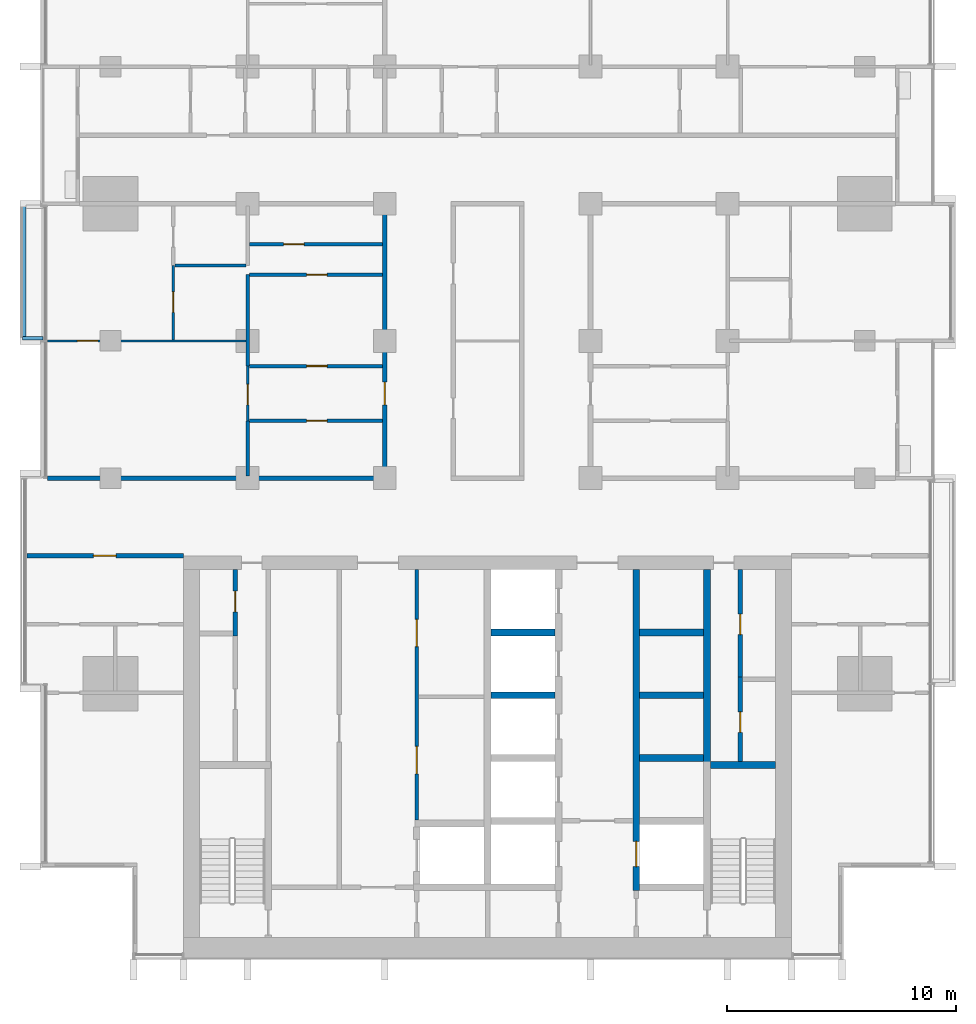
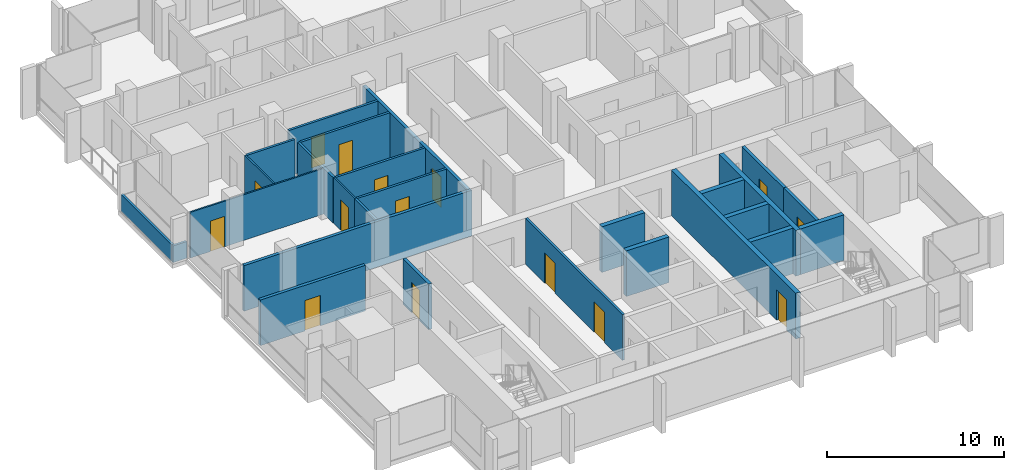
# One storey, part 8 of 17: 27 walls, 15 doors, 15 openings.
"""IFC4 building model written with IfcOpenShell, lengths in metres."""

import ifcopenshell
import ifcopenshell.guid

model = None  # the IFC model being written
_history = None  # IfcOwnerHistory: only IFC2X3 demands one
_inside = {}  # id of a spatial element -> (the spatial element, [elements in it])
_under = {}  # id of a project, library or spatial element -> (it, [spatial elements below it])
_declared = {}  # id of a project -> (the project, [libraries it declares])
_typed = {}  # id of a type object -> (the type object, [elements of that type])
_made_of = {}  # id of a material, layer set ... -> (it, [elements and type objects made of it])


def new_model(schema):
    """Start an empty IFC model of exactly this schema.

    Asked for "IFC4X3", IfcOpenShell would pick the latest addendum, in which some entities
    have other attributes; the version numbers below select the first issue.
    IFC2X3 requires an IfcOwnerHistory on every rooted entity: one is made here for all.
    """
    global model, _history
    if schema == "IFC4X3":
        model = ifcopenshell.file(schema_version=(4, 3, 0, 0))
    else:
        model = ifcopenshell.file(schema=schema)
    _inside.clear()
    _under.clear()
    _declared.clear()
    _typed.clear()
    _made_of.clear()
    _history = None
    if model.schema == "IFC2X3":
        org = make("IfcOrganization", Name="unknown")
        user = make(
            "IfcPersonAndOrganization",
            ThePerson=make("IfcPerson", FamilyName="unknown"),
            TheOrganization=org,
        )
        app = make(
            "IfcApplication",
            ApplicationDeveloper=org,
            Version="unknown",
            ApplicationFullName="unknown",
            ApplicationIdentifier="unknown",
        )
        _history = make(
            "IfcOwnerHistory",
            OwningUser=user,
            OwningApplication=app,
            ChangeAction="ADDED",
            CreationDate=0,
        )
    return model


def make(cls, **values):
    """One entity of the class cls with the attributes given. An attribute that is None is left unset."""
    return model.create_entity(
        cls, **{name: value for name, value in values.items() if value is not None}
    )


def rooted(cls, **values):
    """An entity with a GlobalId (a new one), such as an element, a storey or a relation."""
    return make(cls, GlobalId=ifcopenshell.guid.new(), OwnerHistory=_history, **values)


def si_unit(unit_type, name, prefix=None):
    """IfcSIUnit, for example si_unit("LENGTHUNIT", "METRE", prefix="MILLI")."""
    return make("IfcSIUnit", UnitType=unit_type, Prefix=prefix, Name=name)


def assignment(units):
    """IfcUnitAssignment: the units of a project."""
    return None if units is None else make("IfcUnitAssignment", Units=units)


def point(xyz):
    """IfcCartesianPoint."""
    return None if xyz is None else make("IfcCartesianPoint", Coordinates=xyz)


def direction(xyz):
    """IfcDirection."""
    return None if xyz is None else make("IfcDirection", DirectionRatios=xyz)


def frame(location, z_axis=None, x_axis=None):
    """IfcAxis2Placement3D, a coordinate frame: its origin and axes. An axis left out is left unset."""
    return make(
        "IfcAxis2Placement3D",
        Location=point(location),
        Axis=direction(z_axis),
        RefDirection=direction(x_axis),
    )


def frame_2d(location, x_axis=None):
    """IfcAxis2Placement2D, a coordinate frame in the plane: its origin and x axis."""
    return make(
        "IfcAxis2Placement2D", Location=point(location), RefDirection=direction(x_axis)
    )


def origin():
    """The frame at (0, 0, 0) with its axes left unset."""
    return frame((0.0, 0.0, 0.0))


def place(relative_to, where):
    """IfcLocalPlacement: puts the frame where relative to a parent placement (None: the world)."""
    return make(
        "IfcLocalPlacement", PlacementRelTo=relative_to, RelativePlacement=where
    )


def context(
    kind, dimensions, precision=None, world=None, true_north=None, identifier=None
):
    """IfcGeometricRepresentationContext, for example the 3D "Model" context."""
    return make(
        "IfcGeometricRepresentationContext",
        ContextIdentifier=identifier,
        ContextType=kind,
        CoordinateSpaceDimension=dimensions,
        Precision=precision,
        WorldCoordinateSystem=world,
        TrueNorth=true_north,
    )


def subcontext(parent, identifier, kind, view, scale=None):
    """IfcGeometricRepresentationSubContext, for example "Body" below "Model"."""
    return make(
        "IfcGeometricRepresentationSubContext",
        ContextIdentifier=identifier,
        ContextType=kind,
        ParentContext=parent,
        TargetScale=scale,
        TargetView=view,
    )


def project(units=None, contexts=None):
    """IfcProject with its units and contexts."""
    return rooted(
        "IfcProject",
        Name="project",
        RepresentationContexts=contexts,
        UnitsInContext=assignment(units),
    )


def spatial(cls, under=None, at=None, **own):
    """A site, building, storey or space (cls), placed at a placement, below another one or the project."""
    s = rooted(cls, ObjectPlacement=at, **own)
    if under is not None:
        _under.setdefault(under.id(), (under, []))[1].append(s)
    return s


def profile(cls, at=None, kind="AREA", **sizes):
    """A parametric profile (cls). Its sizes go by their IFC names, for example OverallWidth=200.0."""
    return make(cls, ProfileType=kind, Position=at, **sizes)


def rectangle(**sizes):
    """IfcRectangleProfileDef."""
    return profile("IfcRectangleProfileDef", **sizes)


def extrude(swept, where, along, depth):
    """IfcExtrudedAreaSolid: the profile swept, set in the frame where, extruded along a direction by depth."""
    return make(
        "IfcExtrudedAreaSolid",
        SweptArea=swept,
        Position=where,
        ExtrudedDirection=direction(along),
        Depth=depth,
    )


def shape(context_of_items, identifier, shape_type, items):
    """IfcShapeRepresentation: the items that make up one representation, for example the "Body"."""
    return make(
        "IfcShapeRepresentation",
        ContextOfItems=context_of_items,
        RepresentationIdentifier=identifier,
        RepresentationType=shape_type,
        Items=items,
    )


def material(Name=None, Category=None):
    """IfcMaterial."""
    return make("IfcMaterial", Name=Name, Category=Category)


def layer(
    of_material, thickness, ventilated=None, Name=None, Category=None, Priority=None
):
    """IfcMaterialLayer: one layer of a wall or slab, of a material (None: an air gap)."""
    return make(
        "IfcMaterialLayer",
        Material=of_material,
        LayerThickness=thickness,
        IsVentilated=ventilated,
        Name=Name,
        Category=Category,
        Priority=Priority,
    )


def layer_set(layers, Name=None):
    """IfcMaterialLayerSet."""
    return make("IfcMaterialLayerSet", MaterialLayers=layers, LayerSetName=Name)


def made_of(thing, what):
    """Note that an element or type object is made of a material, layer set ...; save() writes the relation."""
    if what is not None:
        _made_of.setdefault(what.id(), (what, []))[1].append(thing)
    return thing


def type_object(cls, material=None, **own):
    """A type object (cls), such as IfcWallType, which elements share."""
    return made_of(rooted(cls, **own), material)


def element(
    cls,
    number,
    at=None,
    inside=None,
    cuts=None,
    type_object=None,
    material=None,
    context=None,
    identifier="Body",
    shape_type=None,
    held_by="IfcProductDefinitionShape",
    body=None,
    shapes=None,
    **own,
):
    """One element of the class cls, such as IfcWall. Its Tag is "e" and its number.

    at: its placement. inside: the storey or other place that contains it. cuts: it is an
    opening in that element (IfcRelVoidsElement). A single representation is given by context,
    identifier, shape_type and body (its items); several are given by shapes. held_by: the class
    of the entity that holds the representations. save() writes the other relations.
    """
    e = rooted(cls, Tag="e%d" % number, ObjectPlacement=at, **own)
    if body is not None:
        shapes = [shape(context, identifier, shape_type, body)]
    if shapes is not None:
        e.Representation = make(held_by, Representations=shapes)
    if inside is not None:
        _inside.setdefault(inside.id(), (inside, []))[1].append(e)
    if cuts is not None:
        rooted(
            "IfcRelVoidsElement", RelatingBuildingElement=cuts, RelatedOpeningElement=e
        )
    if type_object is not None:
        _typed.setdefault(type_object.id(), (type_object, []))[1].append(e)
    return made_of(e, material)


def fill(opening, filler):
    """IfcRelFillsElement: the door or window that sits in an opening."""
    return rooted(
        "IfcRelFillsElement",
        RelatingOpeningElement=opening,
        RelatedBuildingElement=filler,
    )


def aggregate(whole, parts):
    """IfcRelAggregates: a whole, such as a stair, and the parts it consists of."""
    return rooted("IfcRelAggregates", RelatingObject=whole, RelatedObjects=parts)


def save(model, path):
    """Write the relations noted so far, then the file.

    IfcRelAggregates (storeys below a building ...), IfcRelContainedInSpatialStructure (elements
    in a storey), IfcRelDefinesByType, IfcRelAssociatesMaterial and IfcRelDeclares: one each for
    every whole, place, type object, material and project.
    """
    for whole, parts in _under.values():
        aggregate(whole, parts)
    for where, things in _inside.values():
        rooted(
            "IfcRelContainedInSpatialStructure",
            RelatedElements=things,
            RelatingStructure=where,
        )
    for kind, things in _typed.values():
        rooted("IfcRelDefinesByType", RelatedObjects=things, RelatingType=kind)
    for what, things in _made_of.values():
        rooted("IfcRelAssociatesMaterial", RelatedObjects=things, RelatingMaterial=what)
    for by, libraries in _declared.values():
        rooted("IfcRelDeclares", RelatingContext=by, RelatedDefinitions=libraries)
    model.write(path)


model = new_model("IFC4")

# Units and contexts
model_context = context("Model", 3, precision=1e-05, world=origin(), true_north=direction((0.0, 1.0)))
body_context = subcontext(model_context, "Body", "Model", "MODEL_VIEW")
ifc_project = project(units=[si_unit("LENGTHUNIT", "METRE"), si_unit("AREAUNIT", "SQUARE_METRE"), si_unit("VOLUMEUNIT", "CUBIC_METRE"), si_unit("PLANEANGLEUNIT", "RADIAN"), si_unit("MASSUNIT", "GRAM", prefix="KILO")], contexts=[model_context])

# Site, building, storey
site_placement = place(None, origin())
site = spatial("IfcSite", under=ifc_project, at=site_placement, CompositionType="ELEMENT")
building_placement = place(site_placement, origin())
building = spatial("IfcBuilding", under=site, at=building_placement, Name="Finial Court Residences", CompositionType="ELEMENT")
storey_placement = place(building_placement, frame((0.0, 0.0, 196.10009765625)))
storey = spatial("IfcBuildingStorey", under=building, at=storey_placement, Name="L49", CompositionType="ELEMENT", Elevation=196.10009765625)

# Wall, openings, doors
ifc_material_1 = material(Name="Fire-rated gypsum board partition")
ifc_layer_1 = layer(ifc_material_1, 0.14990234375)
ifc_layer_set_1 = layer_set([ifc_layer_1], Name="Core room partition 150 EI 60")
wall_type_1 = type_object("IfcWallType", Name="Core room partition 150 EI 60", PredefinedType="PARTITIONING", material=ifc_layer_set_1)
wall_1_placement = place(storey_placement, frame((-3.10009765625, -8.5, 0.0), z_axis=(0.0, 0.0, 1.0), x_axis=(0.0, -1.0, 0.0)))
wall_1 = element("IfcWall", 1, at=wall_1_placement, inside=storey, type_object=wall_type_1, Name="Core partition L49-27", PredefinedType="PARTITIONING", context=body_context, shape_type="SweptSolid", body=[
    extrude(rectangle(XDim=10.969970703125, YDim=0.14990234375, at=frame_2d((5.48486328125, 0.0))), origin(), (0.0, 0.0, 1.0), 3.14990234375),
])
opening_1_placement = place(wall_1_placement, frame((7.739990234375, 0.0, 0.0)))
opening_1 = element("IfcOpeningElement", 2, at=opening_1_placement, cuts=wall_1, Name="Opening L49-C15", PredefinedType="OPENING", context=body_context, shape_type="SweptSolid", body=[
    extrude(rectangle(XDim=1.199951171875, YDim=2.10009765625, at=frame_2d((0.60009765625, 1.050048828125))), frame((0.0, 0.0849609375, 0.0), z_axis=(0.0, -1.0, 0.0), x_axis=(1.0, 0.0, 0.0)), (0.0, 0.0, 1.0), 0.169921875),
])
opening_2_placement = place(wall_1_placement, frame((2.179931640625, 0.0, 0.0)))
opening_2 = element("IfcOpeningElement", 3, at=opening_2_placement, cuts=wall_1, Name="Opening L49-C16", PredefinedType="OPENING", context=body_context, shape_type="SweptSolid", body=[
    extrude(rectangle(XDim=1.199951171875, YDim=2.10009765625, at=frame_2d((0.60009765625, 1.050048828125))), frame((0.0, 0.0849609375, 0.0), z_axis=(0.0, -1.0, 0.0), x_axis=(1.0, 0.0, 0.0)), (0.0, 0.0, 1.0), 0.169921875),
])
ifc_material_2 = material(Name="Steel fire door", Category="steel")
door_type_1 = type_object("IfcDoorType", Name="Core room door 1200 x 2100 EI 60", OperationType="NOTDEFINED", PredefinedType="DOOR", material=ifc_material_2)
door_1_placement = place(opening_1_placement, origin())
door_1 = element("IfcDoor", 4, at=door_1_placement, inside=storey, type_object=door_type_1, Name="Core room door L49-C15", OperationType="SINGLE_SWING_LEFT", OverallHeight=2.10009765625, OverallWidth=1.199951171875, PredefinedType="DOOR", context=body_context, shape_type="SweptSolid", body=[
    extrude(rectangle(XDim=1.199951171875, YDim=2.10009765625, at=frame_2d((0.60009765625, 1.050048828125))), frame((0.0, 0.02490234375, 0.0), z_axis=(0.0, -1.0, 0.0), x_axis=(1.0, 0.0, 0.0)), (0.0, 0.0, 1.0), 0.050048828125),
])
fill(opening_1, door_1)
door_2_placement = place(opening_2_placement, origin())
door_2 = element("IfcDoor", 5, at=door_2_placement, inside=storey, type_object=door_type_1, Name="Core room door L49-C16", OperationType="SINGLE_SWING_LEFT", OverallHeight=2.10009765625, OverallWidth=1.199951171875, PredefinedType="DOOR", context=body_context, shape_type="SweptSolid", body=[
    extrude(rectangle(XDim=1.199951171875, YDim=2.10009765625, at=frame_2d((0.60009765625, 1.050048828125))), frame((0.0, 0.02490234375, 0.0), z_axis=(0.0, -1.0, 0.0), x_axis=(1.0, 0.0, 0.0)), (0.0, 0.0, 1.0), 0.050048828125),
])
fill(opening_2, door_2)

# Wall, opening, door
ifc_material_3 = material(Name="Gypsum board")
ifc_layer_2 = layer(ifc_material_3, 0.02490234375)
ifc_material_4 = material(Name="Acoustic mineral wool in double frame")
ifc_layer_3 = layer(ifc_material_4, 0.14990234375)
ifc_layer_4 = layer(ifc_material_3, 0.02490234375)
ifc_layer_set_2 = layer_set([ifc_layer_2, ifc_layer_3, ifc_layer_4], Name="Corridor wall 200, 1 hour")
wall_type_2 = type_object("IfcWallType", Name="Corridor wall 200, 1 hour", PredefinedType="PARTITIONING", material=ifc_layer_set_2)
wall_2_placement = place(storey_placement, frame((-20.16259765625, -7.89990234375, 0.0), z_axis=(0.0, 0.0, 1.0), x_axis=(1.0, 0.0, 0.0)))
wall_2 = element("IfcWall", 6, at=wall_2_placement, inside=storey, type_object=wall_type_2, Name="Partition L49-004", PredefinedType="PARTITIONING", context=body_context, shape_type="SweptSolid", body=[
    extrude(rectangle(XDim=6.862548828125, YDim=0.199951171875, at=frame_2d((3.43115234375, 0.0))), origin(), (0.0, 0.0, 1.0), 3.14990234375),
])
opening_3_placement = place(wall_2_placement, frame((2.9130859375, 0.0, 0.0)))
opening_3 = element("IfcOpeningElement", 7, at=opening_3_placement, cuts=wall_2, Name="Opening L49-D007", PredefinedType="OPENING", context=body_context, shape_type="SweptSolid", body=[
    extrude(rectangle(XDim=1.0, YDim=2.10009765625, at=frame_2d((0.5, 1.050048828125))), frame((0.0, 0.10986328125, 0.0), z_axis=(0.0, -1.0, 0.0), x_axis=(1.0, 0.0, 0.0)), (0.0, 0.0, 1.0), 0.219970703125),
])
ifc_material_5 = material(Name="Timber door leaf in hollow metal frame", Category="wood")
door_type_2 = type_object("IfcDoorType", Name="Fire door set 1000 x 2100, 30 minutes", OperationType="SINGLE_SWING_LEFT", PredefinedType="DOOR", material=ifc_material_5)
door_3_placement = place(opening_3_placement, origin())
door_3 = element("IfcDoor", 8, at=door_3_placement, inside=storey, type_object=door_type_2, Name="Door L49-D007", OperationType="SINGLE_SWING_LEFT", OverallHeight=2.10009765625, OverallWidth=1.0, PredefinedType="DOOR", context=body_context, shape_type="SweptSolid", body=[
    extrude(rectangle(XDim=1.0, YDim=2.10009765625, at=frame_2d((0.5, 1.050048828125))), frame((0.0, 0.02490234375, 0.0), z_axis=(0.0, -1.0, 0.0), x_axis=(1.0, 0.0, 0.0)), (0.0, 0.0, 1.0), 0.050048828125),
])
fill(opening_3, door_3)

# Wall
wall_3_placement = place(storey_placement, frame((-19.262451171875, -4.5, 0.0), z_axis=(0.0, 0.0, 1.0), x_axis=(1.0, 0.0, 0.0)))
element("IfcWall", 9, at=wall_3_placement, inside=storey, type_object=wall_type_2, Name="Partition L49-006", PredefinedType="PARTITIONING", context=body_context, shape_type="SweptSolid", body=[
    extrude(rectangle(XDim=14.862548828125, YDim=0.199951171875, at=frame_2d((7.43115234375, 0.0))), origin(), (0.0, 0.0, 1.0), 3.14990234375),
])

# Wall, opening, door
wall_4_placement = place(storey_placement, frame((-4.5, -4.39990234375, 0.0), z_axis=(0.0, 0.0, 1.0), x_axis=(0.0, 1.0, 0.0)))
wall_4 = element("IfcWall", 10, at=wall_4_placement, inside=storey, type_object=wall_type_2, Name="Partition L49-047", PredefinedType="PARTITIONING", context=body_context, shape_type="SweptSolid", body=[
    extrude(rectangle(XDim=11.7998046875, YDim=0.199951171875, at=frame_2d((5.89990234375, 0.0))), origin(), (0.0, 0.0, 1.0), 3.14990234375),
])
opening_4_placement = place(wall_4_placement, frame((3.10009765625, 0.0, 0.0)))
opening_4 = element("IfcOpeningElement", 11, at=opening_4_placement, cuts=wall_4, Name="Opening L49-D032", PredefinedType="OPENING", context=body_context, shape_type="SweptSolid", body=[
    extrude(rectangle(XDim=1.0, YDim=2.10009765625, at=frame_2d((0.5, 1.050048828125))), frame((0.0, 0.10986328125, 0.0), z_axis=(0.0, -1.0, 0.0), x_axis=(1.0, 0.0, 0.0)), (0.0, 0.0, 1.0), 0.219970703125),
])
door_4_placement = place(opening_4_placement, origin())
door_4 = element("IfcDoor", 12, at=door_4_placement, inside=storey, type_object=door_type_2, Name="Door L49-D032", OperationType="SINGLE_SWING_RIGHT", OverallHeight=2.10009765625, OverallWidth=1.0, PredefinedType="DOOR", context=body_context, shape_type="SweptSolid", body=[
    extrude(rectangle(XDim=1.0, YDim=2.10009765625, at=frame_2d((0.5, 1.050048828125))), frame((0.0, 0.02490234375, 0.0), z_axis=(0.0, -1.0, 0.0), x_axis=(1.0, 0.0, 0.0)), (0.0, 0.0, 1.0), 0.050048828125),
])
fill(opening_4, door_4)

ifc_layer_5 = layer(ifc_material_3, 0.012451171875)
ifc_material_6 = material(Name="Mineral wool in light-gauge frame")
ifc_layer_6 = layer(ifc_material_6, 0.074951171875)
ifc_layer_7 = layer(ifc_material_3, 0.012451171875)
ifc_layer_set_3 = layer_set([ifc_layer_5, ifc_layer_6, ifc_layer_7], Name="Gypsum board partition 100")
wall_type_3 = type_object("IfcWallType", Name="Gypsum board partition 100", PredefinedType="PARTITIONING", material=ifc_layer_set_3)
wall_5_placement = place(storey_placement, frame((-19.262451171875, 1.5, 0.0), z_axis=(0.0, 0.0, 1.0), x_axis=(1.0, 0.0, 0.0)))
wall_5 = element("IfcWall", 13, at=wall_5_placement, inside=storey, type_object=wall_type_3, Name="Partition L49-013", PredefinedType="PARTITIONING", context=body_context, shape_type="SweptSolid", body=[
    extrude(rectangle(XDim=8.6875, YDim=0.10009765625, at=frame_2d((4.34375, 0.0))), origin(), (0.0, 0.0, 1.0), 3.14990234375),
])
opening_5_placement = place(wall_5_placement, frame((1.31201171875, 0.0, 0.0)))
opening_5 = element("IfcOpeningElement", 14, at=opening_5_placement, cuts=wall_5, Name="Opening L49-D013", PredefinedType="OPENING", context=body_context, shape_type="SweptSolid", body=[
    extrude(rectangle(XDim=0.89990234375, YDim=2.10009765625, at=frame_2d((0.449951171875, 1.050048828125))), frame((0.0, 0.06005859375, 0.0), z_axis=(0.0, -1.0, 0.0), x_axis=(1.0, 0.0, 0.0)), (0.0, 0.0, 1.0), 0.1201171875),
])
ifc_material_7 = material(Name="Timber door leaf in timber frame", Category="wood")
door_type_3 = type_object("IfcDoorType", Name="Door set 900 x 2100", OperationType="SINGLE_SWING_LEFT", PredefinedType="DOOR", material=ifc_material_7)
door_5_placement = place(opening_5_placement, origin())
door_5 = element("IfcDoor", 15, at=door_5_placement, inside=storey, type_object=door_type_3, Name="Door L49-D013", OperationType="SINGLE_SWING_RIGHT", OverallHeight=2.10009765625, OverallWidth=0.89990234375, PredefinedType="DOOR", context=body_context, shape_type="SweptSolid", body=[
    extrude(rectangle(XDim=0.89990234375, YDim=2.10009765625, at=frame_2d((0.449951171875, 1.050048828125))), frame((0.0, 0.02490234375, 0.0), z_axis=(0.0, -1.0, 0.0), x_axis=(1.0, 0.0, 0.0)), (0.0, 0.0, 1.0), 0.050048828125),
])
fill(opening_5, door_5)

wall_6_placement = place(storey_placement, frame((-13.75, 1.550048828125, 0.0), z_axis=(0.0, 0.0, 1.0), x_axis=(0.0, 1.0, 0.0)))
wall_6 = element("IfcWall", 16, at=wall_6_placement, inside=storey, type_object=wall_type_3, Name="Partition L49-036", PredefinedType="PARTITIONING", context=body_context, shape_type="SweptSolid", body=[
    extrude(rectangle(XDim=3.25, YDim=0.10009765625, at=frame_2d((1.625, 0.0))), origin(), (0.0, 0.0, 1.0), 3.14990234375),
])
opening_6_placement = place(wall_6_placement, frame((1.199951171875, 0.0, 0.0)))
opening_6 = element("IfcOpeningElement", 17, at=opening_6_placement, cuts=wall_6, Name="Opening L49-D024", PredefinedType="OPENING", context=body_context, shape_type="SweptSolid", body=[
    extrude(rectangle(XDim=0.89990234375, YDim=2.10009765625, at=frame_2d((0.449951171875, 1.050048828125))), frame((0.0, 0.06005859375, 0.0), z_axis=(0.0, -1.0, 0.0), x_axis=(1.0, 0.0, 0.0)), (0.0, 0.0, 1.0), 0.1201171875),
])
door_6_placement = place(opening_6_placement, origin())
door_6 = element("IfcDoor", 18, at=door_6_placement, inside=storey, type_object=door_type_3, Name="Door L49-D024", OperationType="SINGLE_SWING_RIGHT", OverallHeight=2.10009765625, OverallWidth=0.89990234375, PredefinedType="DOOR", context=body_context, shape_type="SweptSolid", body=[
    extrude(rectangle(XDim=0.89990234375, YDim=2.10009765625, at=frame_2d((0.449951171875, 1.050048828125))), frame((0.0, 0.02490234375, 0.0), z_axis=(0.0, -1.0, 0.0), x_axis=(1.0, 0.0, 0.0)), (0.0, 0.0, 1.0), 0.050048828125),
])
fill(opening_6, door_6)

wall_7_placement = place(storey_placement, frame((-10.5, -2.0, 0.0), z_axis=(0.0, 0.0, 1.0), x_axis=(0.0, 1.0, 0.0)))
wall_7 = element("IfcWall", 19, at=wall_7_placement, inside=storey, type_object=wall_type_3, Name="Partition L49-040", PredefinedType="PARTITIONING", context=body_context, shape_type="SweptSolid", body=[
    extrude(rectangle(XDim=2.39990234375, YDim=0.10009765625, at=frame_2d((1.199951171875, 0.0))), origin(), (0.0, 0.0, 1.0), 3.14990234375),
])
opening_7_placement = place(wall_7_placement, frame((0.699951171875, 0.0, 0.0)))
opening_7 = element("IfcOpeningElement", 20, at=opening_7_placement, cuts=wall_7, Name="Opening L49-D028", PredefinedType="OPENING", context=body_context, shape_type="SweptSolid", body=[
    extrude(rectangle(XDim=0.89990234375, YDim=2.10009765625, at=frame_2d((0.449951171875, 1.050048828125))), frame((0.0, 0.06005859375, 0.0), z_axis=(0.0, -1.0, 0.0), x_axis=(1.0, 0.0, 0.0)), (0.0, 0.0, 1.0), 0.1201171875),
])
door_7_placement = place(opening_7_placement, origin())
door_7 = element("IfcDoor", 21, at=door_7_placement, inside=storey, type_object=door_type_3, Name="Door L49-D028", OperationType="SINGLE_SWING_LEFT", OverallHeight=2.10009765625, OverallWidth=0.89990234375, PredefinedType="DOOR", context=body_context, shape_type="SweptSolid", body=[
    extrude(rectangle(XDim=0.89990234375, YDim=2.10009765625, at=frame_2d((0.449951171875, 1.050048828125))), frame((0.0, 0.02490234375, 0.0), z_axis=(0.0, -1.0, 0.0), x_axis=(1.0, 0.0, 0.0)), (0.0, 0.0, 1.0), 0.050048828125),
])
fill(opening_7, door_7)

ifc_material_8 = material(Name="Moisture-resistant gypsum board")
ifc_layer_8 = layer(ifc_material_8, 0.012451171875)
ifc_layer_9 = layer(ifc_material_6, 0.125)
ifc_layer_10 = layer(ifc_material_8, 0.012451171875)
ifc_layer_set_4 = layer_set([ifc_layer_8, ifc_layer_9, ifc_layer_10], Name="Gypsum board wet-area partition 150")
wall_type_4 = type_object("IfcWallType", Name="Gypsum board wet-area partition 150", PredefinedType="PARTITIONING", material=ifc_layer_set_4)
wall_8_placement = place(storey_placement, frame((-10.425048828125, -2.0, 0.0), z_axis=(0.0, 0.0, 1.0), x_axis=(1.0, 0.0, 0.0)))
wall_8 = element("IfcWall", 22, at=wall_8_placement, inside=storey, type_object=wall_type_4, Name="Partition L49-009", PredefinedType="PARTITIONING", context=body_context, shape_type="SweptSolid", body=[
    extrude(rectangle(XDim=5.824951171875, YDim=0.14990234375, at=frame_2d((2.91259765625, 0.0))), origin(), (0.0, 0.0, 1.0), 3.14990234375),
])
opening_8_placement = place(wall_8_placement, frame((2.5, 0.0, 0.0)))
opening_8 = element("IfcOpeningElement", 23, at=opening_8_placement, cuts=wall_8, Name="Opening L49-D009", PredefinedType="OPENING", context=body_context, shape_type="SweptSolid", body=[
    extrude(rectangle(XDim=0.89990234375, YDim=2.10009765625, at=frame_2d((0.449951171875, 1.050048828125))), frame((0.0, 0.0849609375, 0.0), z_axis=(0.0, -1.0, 0.0), x_axis=(1.0, 0.0, 0.0)), (0.0, 0.0, 1.0), 0.169921875),
])
door_8_placement = place(opening_8_placement, origin())
door_8 = element("IfcDoor", 24, at=door_8_placement, inside=storey, type_object=door_type_3, Name="Door L49-D009", OperationType="SINGLE_SWING_LEFT", OverallHeight=2.10009765625, OverallWidth=0.89990234375, PredefinedType="DOOR", context=body_context, shape_type="SweptSolid", body=[
    extrude(rectangle(XDim=0.89990234375, YDim=2.10009765625, at=frame_2d((0.449951171875, 1.050048828125))), frame((0.0, 0.02490234375, 0.0), z_axis=(0.0, -1.0, 0.0), x_axis=(1.0, 0.0, 0.0)), (0.0, 0.0, 1.0), 0.050048828125),
])
fill(opening_8, door_8)

wall_9_placement = place(storey_placement, frame((-10.425048828125, 0.39990234375, 0.0), z_axis=(0.0, 0.0, 1.0), x_axis=(1.0, 0.0, 0.0)))
wall_9 = element("IfcWall", 25, at=wall_9_placement, inside=storey, type_object=wall_type_4, Name="Partition L49-011", PredefinedType="PARTITIONING", context=body_context, shape_type="SweptSolid", body=[
    extrude(rectangle(XDim=5.824951171875, YDim=0.14990234375, at=frame_2d((2.91259765625, 0.0))), origin(), (0.0, 0.0, 1.0), 3.14990234375),
])
opening_9_placement = place(wall_9_placement, frame((2.5, 0.0, 0.0)))
opening_9 = element("IfcOpeningElement", 26, at=opening_9_placement, cuts=wall_9, Name="Opening L49-D011", PredefinedType="OPENING", context=body_context, shape_type="SweptSolid", body=[
    extrude(rectangle(XDim=0.89990234375, YDim=2.10009765625, at=frame_2d((0.449951171875, 1.050048828125))), frame((0.0, 0.0849609375, 0.0), z_axis=(0.0, -1.0, 0.0), x_axis=(1.0, 0.0, 0.0)), (0.0, 0.0, 1.0), 0.169921875),
])
door_9_placement = place(opening_9_placement, origin())
door_9 = element("IfcDoor", 27, at=door_9_placement, inside=storey, type_object=door_type_3, Name="Door L49-D011", OperationType="SINGLE_SWING_RIGHT", OverallHeight=2.10009765625, OverallWidth=0.89990234375, PredefinedType="DOOR", context=body_context, shape_type="SweptSolid", body=[
    extrude(rectangle(XDim=0.89990234375, YDim=2.10009765625, at=frame_2d((0.449951171875, 1.050048828125))), frame((0.0, 0.02490234375, 0.0), z_axis=(0.0, -1.0, 0.0), x_axis=(1.0, 0.0, 0.0)), (0.0, 0.0, 1.0), 0.050048828125),
])
fill(opening_9, door_9)

wall_10_placement = place(storey_placement, frame((-10.425048828125, 4.39990234375, 0.0), z_axis=(0.0, 0.0, 1.0), x_axis=(1.0, 0.0, 0.0)))
wall_10 = element("IfcWall", 28, at=wall_10_placement, inside=storey, type_object=wall_type_4, Name="Partition L49-018", PredefinedType="PARTITIONING", context=body_context, shape_type="SweptSolid", body=[
    extrude(rectangle(XDim=5.824951171875, YDim=0.14990234375, at=frame_2d((2.91259765625, 0.0))), origin(), (0.0, 0.0, 1.0), 3.14990234375),
])
opening_10_placement = place(wall_10_placement, frame((2.5, 0.0, 0.0)))
opening_10 = element("IfcOpeningElement", 29, at=opening_10_placement, cuts=wall_10, Name="Opening L49-D015", PredefinedType="OPENING", context=body_context, shape_type="SweptSolid", body=[
    extrude(rectangle(XDim=0.89990234375, YDim=2.10009765625, at=frame_2d((0.449951171875, 1.050048828125))), frame((0.0, 0.0849609375, 0.0), z_axis=(0.0, -1.0, 0.0), x_axis=(1.0, 0.0, 0.0)), (0.0, 0.0, 1.0), 0.169921875),
])
door_10_placement = place(opening_10_placement, origin())
door_10 = element("IfcDoor", 30, at=door_10_placement, inside=storey, type_object=door_type_3, Name="Door L49-D015", OperationType="SINGLE_SWING_RIGHT", OverallHeight=2.10009765625, OverallWidth=0.89990234375, PredefinedType="DOOR", context=body_context, shape_type="SweptSolid", body=[
    extrude(rectangle(XDim=0.89990234375, YDim=2.10009765625, at=frame_2d((0.449951171875, 1.050048828125))), frame((0.0, 0.02490234375, 0.0), z_axis=(0.0, -1.0, 0.0), x_axis=(1.0, 0.0, 0.0)), (0.0, 0.0, 1.0), 0.050048828125),
])
fill(opening_10, door_10)

# Wall
wall_11_placement = place(storey_placement, frame((-13.675048828125, 4.800048828125, 0.0), z_axis=(0.0, 0.0, 1.0), x_axis=(1.0, 0.0, 0.0)))
element("IfcWall", 31, at=wall_11_placement, inside=storey, type_object=wall_type_4, Name="Partition L49-019", PredefinedType="PARTITIONING", context=body_context, shape_type="SweptSolid", body=[
    extrude(rectangle(XDim=3.10009765625, YDim=0.14990234375, at=frame_2d((1.550048828125, 0.0))), origin(), (0.0, 0.0, 1.0), 3.14990234375),
])

# Wall, opening, door
wall_12_placement = place(storey_placement, frame((-10.425048828125, 5.73291015625, 0.0), z_axis=(0.0, 0.0, 1.0), x_axis=(1.0, 0.0, 0.0)))
wall_12 = element("IfcWall", 32, at=wall_12_placement, inside=storey, type_object=wall_type_4, Name="Partition L49-020", PredefinedType="PARTITIONING", context=body_context, shape_type="SweptSolid", body=[
    extrude(rectangle(XDim=5.824951171875, YDim=0.14990234375, at=frame_2d((2.91259765625, 0.0))), origin(), (0.0, 0.0, 1.0), 3.14990234375),
])
opening_11_placement = place(wall_12_placement, frame((1.5, 0.0, 0.0)))
opening_11 = element("IfcOpeningElement", 33, at=opening_11_placement, cuts=wall_12, Name="Opening L49-D016", PredefinedType="OPENING", context=body_context, shape_type="SweptSolid", body=[
    extrude(rectangle(XDim=0.89990234375, YDim=2.10009765625, at=frame_2d((0.449951171875, 1.050048828125))), frame((0.0, 0.0849609375, 0.0), z_axis=(0.0, -1.0, 0.0), x_axis=(1.0, 0.0, 0.0)), (0.0, 0.0, 1.0), 0.169921875),
])
door_11_placement = place(opening_11_placement, origin())
door_11 = element("IfcDoor", 34, at=door_11_placement, inside=storey, type_object=door_type_3, Name="Door L49-D016", OperationType="SINGLE_SWING_RIGHT", OverallHeight=2.10009765625, OverallWidth=0.89990234375, PredefinedType="DOOR", context=body_context, shape_type="SweptSolid", body=[
    extrude(rectangle(XDim=0.89990234375, YDim=2.10009765625, at=frame_2d((0.449951171875, 1.050048828125))), frame((0.0, 0.02490234375, 0.0), z_axis=(0.0, -1.0, 0.0), x_axis=(1.0, 0.0, 0.0)), (0.0, 0.0, 1.0), 0.050048828125),
])
fill(opening_11, door_11)

# Walls
wall_13_placement = place(storey_placement, frame((-10.5, -4.39990234375, 0.0), z_axis=(0.0, 0.0, 1.0), x_axis=(0.0, 1.0, 0.0)))
element("IfcWall", 35, at=wall_13_placement, inside=storey, type_object=wall_type_4, Name="Partition L49-042", PredefinedType="PARTITIONING", context=body_context, shape_type="SweptSolid", body=[
    extrude(rectangle(XDim=2.39990234375, YDim=0.14990234375, at=frame_2d((1.199951171875, 0.0))), origin(), (0.0, 0.0, 1.0), 3.14990234375),
])
wall_14_placement = place(storey_placement, frame((-10.5, 0.39990234375, 0.0), z_axis=(0.0, 0.0, 1.0), x_axis=(0.0, 1.0, 0.0)))
element("IfcWall", 36, at=wall_14_placement, inside=storey, type_object=wall_type_4, Name="Partition L49-043", PredefinedType="PARTITIONING", context=body_context, shape_type="SweptSolid", body=[
    extrude(rectangle(XDim=4.0, YDim=0.14990234375, at=frame_2d((2.0, 0.0))), origin(), (0.0, 0.0, 1.0), 3.14990234375),
])
ifc_material_9 = material(Name="Concrete C35/45", Category="concrete")
ifc_layer_11 = layer(ifc_material_9, 0.14990234375)
ifc_layer_set_5 = layer_set([ifc_layer_11], Name="Ledge parapet, Concrete C35/45 150")
wall_type_5 = type_object("IfcWallType", Name="Ledge parapet, Concrete C35/45 150", PredefinedType="PARAPET", material=ifc_layer_set_5)
wall_15_placement = place(storey_placement, frame((-19.447509765625, 1.625, 0.0), z_axis=(0.0, 0.0, 1.0), x_axis=(-1.0, 0.0, 0.0)))
element("IfcWall", 37, at=wall_15_placement, inside=storey, type_object=wall_type_5, Name="E-L49-LED1-P1", PredefinedType="PARAPET", context=body_context, shape_type="SweptSolid", body=[
    extrude(rectangle(XDim=0.902587890625, YDim=0.14990234375, at=frame_2d((0.451171875, 0.0))), origin(), (0.0, 0.0, 1.0), 1.14990234375),
])
wall_16_placement = place(storey_placement, frame((-20.27490234375, 1.699951171875, 0.0), z_axis=(0.0, 0.0, 1.0), x_axis=(0.0, 1.0, 0.0)))
element("IfcWall", 38, at=wall_16_placement, inside=storey, type_object=wall_type_5, Name="E-L49-LED1-P2", PredefinedType="PARAPET", context=body_context, shape_type="SweptSolid", body=[
    extrude(rectangle(XDim=5.75, YDim=0.14990234375, at=frame_2d((2.875, 0.0))), origin(), (0.0, 0.0, 1.0), 1.14990234375),
])
ifc_material_10 = material(Name="Concrete C70/85", Category="concrete")
ifc_layer_12 = layer(ifc_material_10, 0.300048828125)
ifc_layer_set_6 = layer_set([ifc_layer_12], Name="Lift shaft and stair wall 300 Concrete C70/85")
wall_type_6 = type_object("IfcWallType", Name="Lift shaft and stair wall 300 Concrete C70/85", PredefinedType="SHEAR", material=ifc_layer_set_6)
wall_17_placement = place(storey_placement, frame((9.75, -17.050048828125, 0.0), z_axis=(0.0, 0.0, 1.0), x_axis=(1.0, 0.0, 0.0)))
element("IfcWall", 39, at=wall_17_placement, inside=storey, type_object=wall_type_6, Name="Core wall L49-10", PredefinedType="SHEAR", context=body_context, shape_type="SweptSolid", body=[
    extrude(rectangle(XDim=2.85009765625, YDim=0.300048828125, at=frame_2d((1.425048828125, 0.0))), origin(), (0.0, 0.0, 1.0), 3.14990234375),
])
for number, where, z_axis, x_axis, name in (
    (40, (6.64990234375, -16.75, 0.0), (0.0, 0.0, 1.0), (1.0, 0.0, 0.0), "Core wall L49-12"),
    (41, (0.14990234375, -14.0, 0.0), (0.0, 0.0, 1.0), (1.0, 0.0, 0.0), "Core wall L49-14"),
    (42, (6.64990234375, -14.0, 0.0), (0.0, 0.0, 1.0), (1.0, 0.0, 0.0), "Core wall L49-15"),
    (43, (0.14990234375, -11.25, 0.0), (0.0, 0.0, 1.0), (1.0, 0.0, 0.0), "Core wall L49-18"),
    (44, (6.64990234375, -11.25, 0.0), (0.0, 0.0, 1.0), (1.0, 0.0, 0.0), "Core wall L49-19"),
):
    element("IfcWall", number, at=place(storey_placement, frame(where, z_axis=z_axis, x_axis=x_axis)), inside=storey, type_object=wall_type_6, Name=name, PredefinedType="SHEAR", context=body_context, shape_type="SweptSolid", body=[
        extrude(rectangle(XDim=2.800048828125, YDim=0.300048828125, at=frame_2d((1.39990234375, 0.0))), origin(), (0.0, 0.0, 1.0), 3.14990234375),
    ])

# Wall, opening, door
wall_18_placement = place(storey_placement, frame((6.5, -22.550048828125, 0.0), z_axis=(0.0, 0.0, 1.0), x_axis=(0.0, 1.0, 0.0)))
wall_18 = element("IfcWall", 45, at=wall_18_placement, inside=storey, type_object=wall_type_6, Name="Core wall L49-33", PredefinedType="SHEAR", context=body_context, shape_type="SweptSolid", body=[
    extrude(rectangle(XDim=14.050048828125, YDim=0.300048828125, at=frame_2d((7.02490234375, 0.0))), origin(), (0.0, 0.0, 1.0), 3.14990234375),
])
opening_12_placement = place(wall_18_placement, frame((1.050048828125, 0.0, 0.0)))
opening_12 = element("IfcOpeningElement", 46, at=opening_12_placement, cuts=wall_18, Name="Opening L49-LD02", PredefinedType="OPENING", context=body_context, shape_type="SweptSolid", body=[
    extrude(rectangle(XDim=1.10009765625, YDim=2.10009765625, at=frame_2d((0.550048828125, 1.050048828125))), frame((0.0, 0.159912109375, 0.0), z_axis=(0.0, -1.0, 0.0), x_axis=(1.0, 0.0, 0.0)), (0.0, 0.0, 1.0), 0.320068359375),
])
ifc_material_11 = material(Name="Stainless steel lift door", Category="steel")
door_type_4 = type_object("IfcDoorType", Name="Lift landing door 1100 x 2100 EI 90", OperationType="DOUBLE_DOOR_SLIDING", PredefinedType="DOOR", material=ifc_material_11)
door_12_placement = place(opening_12_placement, origin())
door_12 = element("IfcDoor", 47, at=door_12_placement, inside=storey, type_object=door_type_4, Name="Lift landing door FF2 L49", OperationType="DOUBLE_DOOR_SLIDING", OverallHeight=2.10009765625, OverallWidth=1.10009765625, PredefinedType="DOOR", context=body_context, shape_type="SweptSolid", body=[
    extrude(rectangle(XDim=1.10009765625, YDim=2.10009765625, at=frame_2d((0.550048828125, 1.050048828125))), frame((0.0, 0.02490234375, 0.0), z_axis=(0.0, -1.0, 0.0), x_axis=(1.0, 0.0, 0.0)), (0.0, 0.0, 1.0), 0.050048828125),
])
fill(opening_12, door_12)

# Wall
wall_19_placement = place(storey_placement, frame((9.60009765625, -17.199951171875, 0.0), z_axis=(0.0, 0.0, 1.0), x_axis=(0.0, 1.0, 0.0)))
element("IfcWall", 48, at=wall_19_placement, inside=storey, type_object=wall_type_6, Name="Core wall L49-35", PredefinedType="SHEAR", context=body_context, shape_type="SweptSolid", body=[
    extrude(rectangle(XDim=8.699951171875, YDim=0.300048828125, at=frame_2d((4.35009765625, 0.0))), origin(), (0.0, 0.0, 1.0), 3.14990234375),
])

# Wall, opening, door
ifc_layer_13 = layer(ifc_material_1, 0.199951171875)
ifc_layer_set_7 = layer_set([ifc_layer_13], Name="Riser room wall 200 EI 120")
wall_type_7 = type_object("IfcWallType", Name="Riser room wall 200 EI 120", PredefinedType="PARTITIONING", material=ifc_layer_set_7)
wall_20_placement = place(storey_placement, frame((-11.050048828125, -11.39990234375, 0.0), z_axis=(0.0, 0.0, 1.0), x_axis=(0.0, 1.0, 0.0)))
wall_20 = element("IfcWall", 49, at=wall_20_placement, inside=storey, type_object=wall_type_7, Name="Core partition L49-21", PredefinedType="PARTITIONING", context=body_context, shape_type="SweptSolid", body=[
    extrude(rectangle(XDim=2.89990234375, YDim=0.199951171875, at=frame_2d((1.449951171875, 0.0))), origin(), (0.0, 0.0, 1.0), 3.14990234375),
])
opening_13_placement = place(wall_20_placement, frame((1.050048828125, 0.0, 0.0)))
opening_13 = element("IfcOpeningElement", 50, at=opening_13_placement, cuts=wall_20, Name="Opening L49-C07", PredefinedType="OPENING", context=body_context, shape_type="SweptSolid", body=[
    extrude(rectangle(XDim=0.89990234375, YDim=2.10009765625, at=frame_2d((0.449951171875, 1.050048828125))), frame((0.0, 0.10986328125, 0.0), z_axis=(0.0, -1.0, 0.0), x_axis=(1.0, 0.0, 0.0)), (0.0, 0.0, 1.0), 0.219970703125),
])
door_type_5 = type_object("IfcDoorType", Name="Riser room door 900 x 2100 EI 90", OperationType="NOTDEFINED", PredefinedType="DOOR", material=ifc_material_2)
door_13_placement = place(opening_13_placement, origin())
door_13 = element("IfcDoor", 51, at=door_13_placement, inside=storey, type_object=door_type_5, Name="Riser room door L49-C07", OperationType="SINGLE_SWING_LEFT", OverallHeight=2.10009765625, OverallWidth=0.89990234375, PredefinedType="DOOR", context=body_context, shape_type="SweptSolid", body=[
    extrude(rectangle(XDim=0.89990234375, YDim=2.10009765625, at=frame_2d((0.449951171875, 1.050048828125))), frame((0.0, 0.02490234375, 0.0), z_axis=(0.0, -1.0, 0.0), x_axis=(1.0, 0.0, 0.0)), (0.0, 0.0, 1.0), 0.050048828125),
])
fill(opening_13, door_13)

wall_21_placement = place(storey_placement, frame((11.050048828125, -8.5, 0.0), z_axis=(0.0, 0.0, 1.0), x_axis=(0.0, -1.0, 0.0)))
wall_21 = element("IfcWall", 52, at=wall_21_placement, inside=storey, type_object=wall_type_7, Name="Core partition L49-37", PredefinedType="PARTITIONING", context=body_context, shape_type="SweptSolid", body=[
    extrude(rectangle(XDim=4.89990234375, YDim=0.199951171875, at=frame_2d((2.449951171875, 0.0))), origin(), (0.0, 0.0, 1.0), 3.14990234375),
])
opening_14_placement = place(wall_21_placement, frame((1.949951171875, 0.0, 0.0)))
opening_14 = element("IfcOpeningElement", 53, at=opening_14_placement, cuts=wall_21, Name="Opening L49-C08", PredefinedType="OPENING", context=body_context, shape_type="SweptSolid", body=[
    extrude(rectangle(XDim=0.89990234375, YDim=2.10009765625, at=frame_2d((0.449951171875, 1.050048828125))), frame((0.0, 0.10986328125, 0.0), z_axis=(0.0, -1.0, 0.0), x_axis=(1.0, 0.0, 0.0)), (0.0, 0.0, 1.0), 0.219970703125),
])
door_14_placement = place(opening_14_placement, origin())
door_14 = element("IfcDoor", 54, at=door_14_placement, inside=storey, type_object=door_type_5, Name="Riser room door L49-C08", OperationType="SINGLE_SWING_RIGHT", OverallHeight=2.10009765625, OverallWidth=0.89990234375, PredefinedType="DOOR", context=body_context, shape_type="SweptSolid", body=[
    extrude(rectangle(XDim=0.89990234375, YDim=2.10009765625, at=frame_2d((0.449951171875, 1.050048828125))), frame((0.0, 0.02490234375, 0.0), z_axis=(0.0, -1.0, 0.0), x_axis=(1.0, 0.0, 0.0)), (0.0, 0.0, 1.0), 0.050048828125),
])
fill(opening_14, door_14)

ifc_layer_14 = layer(ifc_material_1, 0.199951171875)
ifc_layer_set_8 = layer_set([ifc_layer_14], Name="Stair passage wall 200 EI 180")
wall_type_8 = type_object("IfcWallType", Name="Stair passage wall 200 EI 180", PredefinedType="PARTITIONING", material=ifc_layer_set_8)
wall_22_placement = place(storey_placement, frame((11.050048828125, -13.199951171875, 0.0), z_axis=(0.0, 0.0, 1.0), x_axis=(0.0, -1.0, 0.0)))
wall_22 = element("IfcWall", 55, at=wall_22_placement, inside=storey, type_object=wall_type_8, Name="Core partition L49-36", PredefinedType="PARTITIONING", context=body_context, shape_type="SweptSolid", body=[
    extrude(rectangle(XDim=3.699951171875, YDim=0.199951171875, at=frame_2d((1.85009765625, 0.0))), origin(), (0.0, 0.0, 1.0), 3.14990234375),
])
opening_15_placement = place(wall_22_placement, frame((1.52490234375, 0.0, 0.0)))
opening_15 = element("IfcOpeningElement", 56, at=opening_15_placement, cuts=wall_22, Name="Opening L49-C14", PredefinedType="OPENING", context=body_context, shape_type="SweptSolid", body=[
    extrude(rectangle(XDim=0.89990234375, YDim=2.10009765625, at=frame_2d((0.449951171875, 1.050048828125))), frame((0.0, 0.10986328125, 0.0), z_axis=(0.0, -1.0, 0.0), x_axis=(1.0, 0.0, 0.0)), (0.0, 0.0, 1.0), 0.219970703125),
])
door_type_6 = type_object("IfcDoorType", Name="Core room door 900 x 2100 EI 60", OperationType="NOTDEFINED", PredefinedType="DOOR", material=ifc_material_2)
door_15_placement = place(opening_15_placement, origin())
door_15 = element("IfcDoor", 57, at=door_15_placement, inside=storey, type_object=door_type_6, Name="Core room door L49-C14", OperationType="SINGLE_SWING_RIGHT", OverallHeight=2.10009765625, OverallWidth=0.89990234375, PredefinedType="DOOR", context=body_context, shape_type="SweptSolid", body=[
    extrude(rectangle(XDim=0.89990234375, YDim=2.10009765625, at=frame_2d((0.449951171875, 1.050048828125))), frame((0.0, 0.02490234375, 0.0), z_axis=(0.0, -1.0, 0.0), x_axis=(1.0, 0.0, 0.0)), (0.0, 0.0, 1.0), 0.050048828125),
])
fill(opening_15, door_15)

save(model, "model.ifc")
